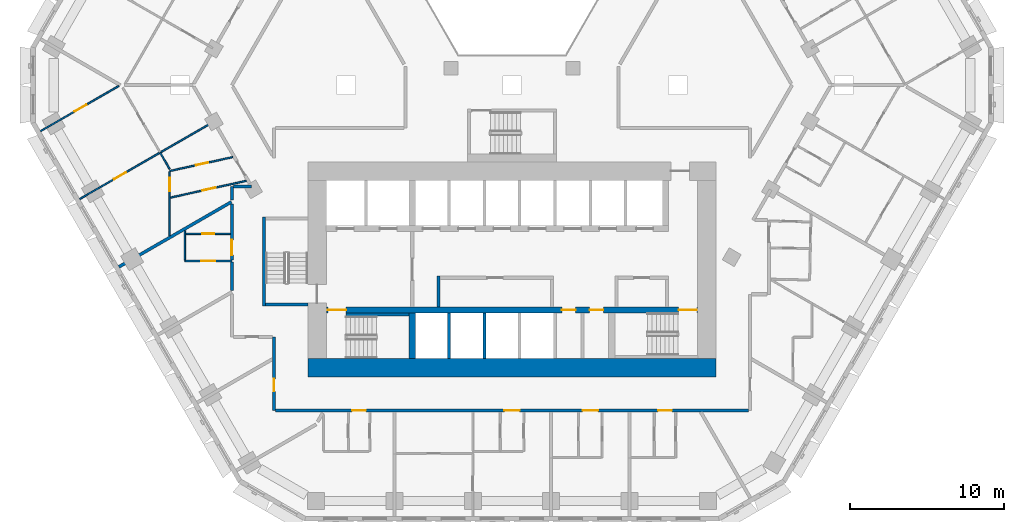
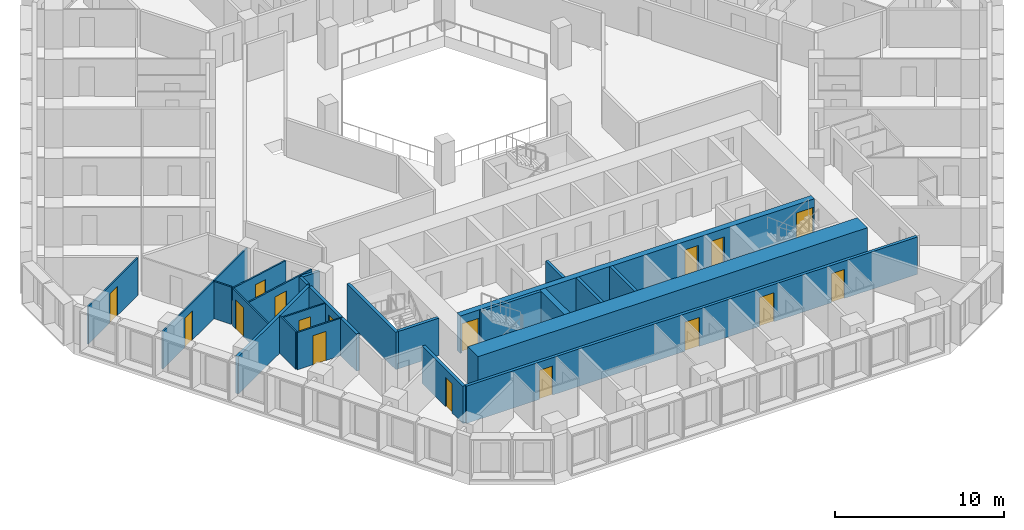
# One storey, part 4 of 21: 25 walls, 17 doors, 17 openings.
"""IFC4 building model written with IfcOpenShell, lengths in metres."""

from ifc_helpers import new_model, si_unit, direction, frame, frame_2d, origin, place, context, subcontext, project, spatial, rectangle, extrude, material, layer, layer_set, type_object, element, fill, save


model = new_model("IFC4")

# Units and contexts
model_context = context("Model", 3, precision=1e-05, world=origin(), true_north=direction((0.0, 1.0)))
body_context = subcontext(model_context, "Body", "Model", "MODEL_VIEW")
ifc_project = project(units=[si_unit("LENGTHUNIT", "METRE"), si_unit("AREAUNIT", "SQUARE_METRE"), si_unit("VOLUMEUNIT", "CUBIC_METRE"), si_unit("PLANEANGLEUNIT", "RADIAN"), si_unit("MASSUNIT", "GRAM", prefix="KILO")], contexts=[model_context])

# Site, building, storey
site_placement = place(None, origin())
site = spatial("IfcSite", under=ifc_project, at=site_placement, CompositionType="ELEMENT")
building_placement = place(site_placement, origin())
building = spatial("IfcBuilding", under=site, at=building_placement, Name="Beryl Residences", CompositionType="ELEMENT")
storey_placement = place(building_placement, frame((0.0, 0.0, 23.39990234375)))
storey = spatial("IfcBuildingStorey", under=building, at=storey_placement, Name="L06", CompositionType="ELEMENT", Elevation=23.39990234375)

# Wall
ifc_material_1 = material(Name="Gypsum board partition on steel studs", Category="steel")
ifc_layer_1 = layer(ifc_material_1, 0.10009765625)
ifc_layer_set_1 = layer_set([ifc_layer_1], Name="PT1 partition 100 mm gypsum board on steel studs")
wall_type_1 = type_object("IfcWallType", Name="PT1 partition 100 mm gypsum board on steel studs", PredefinedType="PARTITIONING", material=ifc_layer_set_1)
wall_1_placement = place(storey_placement, frame((-21.31005859375, -9.47412109375, 0.0), z_axis=(0.0, 0.0, 1.0), x_axis=(0.0, -1.0, 0.0)))
element("IfcWall", 1, at=wall_1_placement, inside=storey, type_object=wall_type_1, Name="Wall PT1 L06 009", PredefinedType="PARTITIONING", context=body_context, shape_type="SweptSolid", body=[
    extrude(rectangle(XDim=1.931884765625, YDim=0.10009765625, at=frame_2d((0.9658203125, 0.0))), origin(), (0.0, 0.0, 1.0), 2.7001953125),
])

# Wall, opening, door
wall_2_placement = place(storey_placement, frame((-21.260009765625, -9.68896484375, 0.0), z_axis=(0.0, 0.0, 1.0), x_axis=(1.0, 0.0, 0.0)))
wall_2 = element("IfcWall", 2, at=wall_2_placement, inside=storey, type_object=wall_type_1, Name="Wall PT1 L06 024", PredefinedType="PARTITIONING", context=body_context, shape_type="SweptSolid", body=[
    extrude(rectangle(XDim=2.909912109375, YDim=0.10009765625, at=frame_2d((1.455078125, 0.0))), origin(), (0.0, 0.0, 1.0), 2.7001953125),
])
opening_1_placement = place(wall_2_placement, frame((1.080078125, 0.0, 0.0)))
opening_1 = element("IfcOpeningElement", 3, at=opening_1_placement, cuts=wall_2, Name="Opening D0178", PredefinedType="OPENING", context=body_context, shape_type="SweptSolid", body=[
    extrude(rectangle(XDim=0.800048828125, YDim=2.10009765625, at=frame_2d((0.39990234375, 1.050048828125))), frame((0.0, 0.06005859375, 0.0), z_axis=(0.0, -1.0, 0.0), x_axis=(1.0, 0.0, 0.0)), (0.0, 0.0, 1.0), 0.1201171875),
])
ifc_material_2 = material(Name="Timber door leaf", Category="wood")
door_type_1 = type_object("IfcDoorType", Name="D3 bathroom door 800 x 2100 mm", OperationType="SINGLE_SWING_LEFT", PredefinedType="DOOR", material=ifc_material_2)
door_1_placement = place(opening_1_placement, origin())
door_1 = element("IfcDoor", 4, at=door_1_placement, inside=storey, type_object=door_type_1, Name="Door D0178 L06 001", OperationType="SINGLE_SWING_RIGHT", OverallHeight=2.10009765625, OverallWidth=0.800048828125, PredefinedType="DOOR", context=body_context, shape_type="SweptSolid", body=[
    extrude(rectangle(XDim=0.800048828125, YDim=2.10009765625, at=frame_2d((0.39990234375, 1.050048828125))), frame((0.0, 0.02490234375, 0.0), z_axis=(0.0, -1.0, 0.0), x_axis=(1.0, 0.0, 0.0)), (0.0, 0.0, 1.0), 0.050048828125),
])
fill(opening_1, door_1)

wall_3_placement = place(storey_placement, frame((-21.30908203125, -11.45703125, 0.0), z_axis=(0.0, 0.0, 1.0), x_axis=(1.0, 0.0, 0.0)))
wall_3 = element("IfcWall", 5, at=wall_3_placement, inside=storey, type_object=wall_type_1, Name="Wall PT1 L06 025", PredefinedType="PARTITIONING", context=body_context, shape_type="SweptSolid", body=[
    extrude(rectangle(XDim=3.05908203125, YDim=0.10009765625, at=frame_2d((1.529541015625, 0.0))), origin(), (0.0, 0.0, 1.0), 2.7001953125),
])
opening_2_placement = place(wall_3_placement, frame((1.0791015625, 0.0, 0.0)))
opening_2 = element("IfcOpeningElement", 6, at=opening_2_placement, cuts=wall_3, Name="Opening D0177", PredefinedType="OPENING", context=body_context, shape_type="SweptSolid", body=[
    extrude(rectangle(XDim=0.89990234375, YDim=2.10009765625, at=frame_2d((0.449951171875, 1.050048828125))), frame((0.0, 0.06005859375, 0.0), z_axis=(0.0, -1.0, 0.0), x_axis=(1.0, 0.0, 0.0)), (0.0, 0.0, 1.0), 0.1201171875),
])
ifc_material_3 = material(Name="Timber door leaf", Category="wood")
door_type_2 = type_object("IfcDoorType", Name="D2 room door 900 x 2100 mm", OperationType="SINGLE_SWING_LEFT", PredefinedType="DOOR", material=ifc_material_3)
door_2_placement = place(opening_2_placement, origin())
door_2 = element("IfcDoor", 7, at=door_2_placement, inside=storey, type_object=door_type_2, Name="Door D0177 L06 001", OperationType="SINGLE_SWING_LEFT", OverallHeight=2.10009765625, OverallWidth=0.89990234375, PredefinedType="DOOR", context=body_context, shape_type="SweptSolid", body=[
    extrude(rectangle(XDim=0.89990234375, YDim=2.10009765625, at=frame_2d((0.449951171875, 1.050048828125))), frame((0.0, 0.02490234375, 0.0), z_axis=(0.0, -1.0, 0.0), x_axis=(1.0, 0.0, 0.0)), (0.0, 0.0, 1.0), 0.050048828125),
])
fill(opening_2, door_2)

wall_4_placement = place(storey_placement, frame((-22.297119140625, -9.81298828125, 0.0), z_axis=(0.0, 0.0, 1.0), x_axis=(0.0, 1.0, 0.0)))
wall_4 = element("IfcWall", 8, at=wall_4_placement, inside=storey, type_object=wall_type_1, Name="Wall PT1 L06 058", PredefinedType="PARTITIONING", context=body_context, shape_type="SweptSolid", body=[
    extrude(rectangle(XDim=4.18408203125, YDim=0.10009765625, at=frame_2d((2.092041015625, 0.0))), origin(), (0.0, 0.0, 1.0), 2.7001953125),
])
opening_3_placement = place(wall_4_placement, frame((2.89404296875, 0.0, 0.0)))
opening_3 = element("IfcOpeningElement", 9, at=opening_3_placement, cuts=wall_4, Name="Opening D0172", PredefinedType="OPENING", context=body_context, shape_type="SweptSolid", body=[
    extrude(rectangle(XDim=0.89990234375, YDim=2.10009765625, at=frame_2d((0.449951171875, 1.050048828125))), frame((0.0, 0.06005859375, 0.0), z_axis=(0.0, -1.0, 0.0), x_axis=(1.0, 0.0, 0.0)), (0.0, 0.0, 1.0), 0.1201171875),
])
door_3_placement = place(opening_3_placement, origin())
door_3 = element("IfcDoor", 10, at=door_3_placement, inside=storey, type_object=door_type_2, Name="Door D0172 L06 001", OperationType="SINGLE_SWING_RIGHT", OverallHeight=2.10009765625, OverallWidth=0.89990234375, PredefinedType="DOOR", context=body_context, shape_type="SweptSolid", body=[
    extrude(rectangle(XDim=0.89990234375, YDim=2.10009765625, at=frame_2d((0.449951171875, 1.050048828125))), frame((0.0, 0.02490234375, 0.0), z_axis=(0.0, -1.0, 0.0), x_axis=(1.0, 0.0, 0.0)), (0.0, 0.0, 1.0), 0.050048828125),
])
fill(opening_3, door_3)

wall_5_placement = place(storey_placement, frame((-22.297119140625, -5.597900390625, 0.0), z_axis=(0.0, 0.0, 1.0), x_axis=(0.976341239907, 0.216235481033, 0.0)))
wall_5 = element("IfcWall", 11, at=wall_5_placement, inside=storey, type_object=wall_type_1, Name="Wall PT1 L06 060", PredefinedType="PARTITIONING", context=body_context, shape_type="SweptSolid", body=[
    extrude(rectangle(XDim=4.203369140625, YDim=0.10009765625, at=frame_2d((2.1015625, 0.0))), origin(), (0.0, 0.0, 1.0), 2.7001953125),
])
opening_4_placement = place(wall_5_placement, frame((1.75390625, 0.0, 0.0)))
opening_4 = element("IfcOpeningElement", 12, at=opening_4_placement, cuts=wall_5, Name="Opening D0171", PredefinedType="OPENING", context=body_context, shape_type="SweptSolid", body=[
    extrude(rectangle(XDim=0.800048828125, YDim=2.10009765625, at=frame_2d((0.39990234375, 1.050048828125))), frame((0.0, 0.06005859375, 0.0), z_axis=(0.0, -1.0, 0.0), x_axis=(1.0, 0.0, 0.0)), (0.0, 0.0, 1.0), 0.1201171875),
])
door_4_placement = place(opening_4_placement, origin())
door_4 = element("IfcDoor", 13, at=door_4_placement, inside=storey, type_object=door_type_1, Name="Door D0171 L06 001", OperationType="SINGLE_SWING_LEFT", OverallHeight=2.10009765625, OverallWidth=0.800048828125, PredefinedType="DOOR", context=body_context, shape_type="SweptSolid", body=[
    extrude(rectangle(XDim=0.800048828125, YDim=2.10009765625, at=frame_2d((0.39990234375, 1.050048828125))), frame((0.0, 0.02490234375, 0.0), z_axis=(0.0, -1.0, 0.0), x_axis=(1.0, 0.0, 0.0)), (0.0, 0.0, 1.0), 0.050048828125),
])
fill(opening_4, door_4)

wall_6_placement = place(storey_placement, frame((-22.2470703125, -7.327880859375, 0.0), z_axis=(0.0, 0.0, 1.0), x_axis=(0.976310522972, 0.216374126765, 0.0)))
wall_6 = element("IfcWall", 14, at=wall_6_placement, inside=storey, type_object=wall_type_1, Name="Wall PT1 L06 061", PredefinedType="PARTITIONING", context=body_context, shape_type="SweptSolid", body=[
    extrude(rectangle(XDim=5.06494140625, YDim=0.10009765625, at=frame_2d((2.532470703125, 0.0))), origin(), (0.0, 0.0, 1.0), 2.7001953125),
])
opening_5_placement = place(wall_6_placement, frame((2.10888671875, 0.0, 0.0)))
opening_5 = element("IfcOpeningElement", 15, at=opening_5_placement, cuts=wall_6, Name="Opening D0170", PredefinedType="OPENING", context=body_context, shape_type="SweptSolid", body=[
    extrude(rectangle(XDim=0.89990234375, YDim=2.10009765625, at=frame_2d((0.449951171875, 1.050048828125))), frame((0.0, 0.06005859375, 0.0), z_axis=(0.0, -1.0, 0.0), x_axis=(1.0, 0.0, 0.0)), (0.0, 0.0, 1.0), 0.1201171875),
])
door_5_placement = place(opening_5_placement, origin())
door_5 = element("IfcDoor", 16, at=door_5_placement, inside=storey, type_object=door_type_2, Name="Door D0170 L06 001", OperationType="SINGLE_SWING_RIGHT", OverallHeight=2.10009765625, OverallWidth=0.89990234375, PredefinedType="DOOR", context=body_context, shape_type="SweptSolid", body=[
    extrude(rectangle(XDim=0.89990234375, YDim=2.10009765625, at=frame_2d((0.449951171875, 1.050048828125))), frame((0.0, 0.02490234375, 0.0), z_axis=(0.0, -1.0, 0.0), x_axis=(1.0, 0.0, 0.0)), (0.0, 0.0, 1.0), 0.050048828125),
])
fill(opening_5, door_5)

wall_7_placement = place(storey_placement, frame((-28.1630859375, -7.419921875, 0.0), z_axis=(0.0, 0.0, 1.0), x_axis=(0.866065245018, 0.499930986609, 0.0)))
wall_7 = element("IfcWall", 17, at=wall_7_placement, inside=storey, type_object=wall_type_1, Name="Wall PT1 L06 064", PredefinedType="PARTITIONING", context=body_context, shape_type="SweptSolid", body=[
    extrude(rectangle(XDim=9.99951171875, YDim=0.10009765625, at=frame_2d((4.999755859375, 0.0))), origin(), (0.0, 0.0, 1.0), 2.7001953125),
])
opening_6_placement = place(wall_7_placement, frame((2.575927734375, 0.0, 0.0)))
opening_6 = element("IfcOpeningElement", 18, at=opening_6_placement, cuts=wall_7, Name="Opening D0173", PredefinedType="OPENING", context=body_context, shape_type="SweptSolid", body=[
    extrude(rectangle(XDim=0.89990234375, YDim=2.10009765625, at=frame_2d((0.449951171875, 1.050048828125))), frame((0.0, 0.06005859375, 0.0), z_axis=(0.0, -1.0, 0.0), x_axis=(1.0, 0.0, 0.0)), (0.0, 0.0, 1.0), 0.1201171875),
])
door_6_placement = place(opening_6_placement, origin())
door_6 = element("IfcDoor", 19, at=door_6_placement, inside=storey, type_object=door_type_2, Name="Door D0173 L06 001", OperationType="SINGLE_SWING_LEFT", OverallHeight=2.10009765625, OverallWidth=0.89990234375, PredefinedType="DOOR", context=body_context, shape_type="SweptSolid", body=[
    extrude(rectangle(XDim=0.89990234375, YDim=2.10009765625, at=frame_2d((0.449951171875, 1.050048828125))), frame((0.0, 0.02490234375, 0.0), z_axis=(0.0, -1.0, 0.0), x_axis=(1.0, 0.0, 0.0)), (0.0, 0.0, 1.0), 0.050048828125),
])
fill(opening_6, door_6)

wall_8_placement = place(storey_placement, frame((-30.715087890625, -3.0, 0.0), z_axis=(0.0, 0.0, 1.0), x_axis=(0.866054318203, 0.499949915414, 0.0)))
wall_8 = element("IfcWall", 20, at=wall_8_placement, inside=storey, type_object=wall_type_1, Name="Wall PT1 L06 065", PredefinedType="PARTITIONING", context=body_context, shape_type="SweptSolid", body=[
    extrude(rectangle(XDim=5.88427734375, YDim=0.10009765625, at=frame_2d((2.942138671875, 0.0))), origin(), (0.0, 0.0, 1.0), 2.7001953125),
])
opening_7_placement = place(wall_8_placement, frame((2.550048828125, 0.0, 0.0)))
opening_7 = element("IfcOpeningElement", 21, at=opening_7_placement, cuts=wall_8, Name="Opening D0174", PredefinedType="OPENING", context=body_context, shape_type="SweptSolid", body=[
    extrude(rectangle(XDim=0.89990234375, YDim=2.10009765625, at=frame_2d((0.449951171875, 1.050048828125))), frame((0.0, 0.06005859375, 0.0), z_axis=(0.0, -1.0, 0.0), x_axis=(1.0, 0.0, 0.0)), (0.0, 0.0, 1.0), 0.1201171875),
])
door_7_placement = place(opening_7_placement, origin())
door_7 = element("IfcDoor", 22, at=door_7_placement, inside=storey, type_object=door_type_2, Name="Door D0174 L06 001", OperationType="SINGLE_SWING_RIGHT", OverallHeight=2.10009765625, OverallWidth=0.89990234375, PredefinedType="DOOR", context=body_context, shape_type="SweptSolid", body=[
    extrude(rectangle(XDim=0.89990234375, YDim=2.10009765625, at=frame_2d((0.449951171875, 1.050048828125))), frame((0.0, 0.02490234375, 0.0), z_axis=(0.0, -1.0, 0.0), x_axis=(1.0, 0.0, 0.0)), (0.0, 0.0, 1.0), 0.050048828125),
])
fill(opening_7, door_7)

# Walls
wall_9_placement = place(storey_placement, frame((-22.9208984375, -4.39404296875, 0.0), z_axis=(0.0, 0.0, 1.0), x_axis=(0.49977889874, -0.86615301903, 0.0)))
element("IfcWall", 23, at=wall_9_placement, inside=storey, type_object=wall_type_1, Name="Wall PT1 L06 071", PredefinedType="PARTITIONING", context=body_context, shape_type="SweptSolid", body=[
    extrude(rectangle(XDim=1.248046875, YDim=0.10009765625, at=frame_2d((0.6240234375, 0.0))), origin(), (0.0, 0.0, 1.0), 2.7001953125),
])
ifc_material_4 = material(Name="Concrete masonry", Category="masonry")
ifc_layer_2 = layer(ifc_material_4, 0.199951171875)
ifc_layer_set_2 = layer_set([ifc_layer_2], Name="PT13 lobby wall 200 mm")
wall_type_2 = type_object("IfcWallType", Name="PT13 lobby wall 200 mm", PredefinedType="PARTITIONING", material=ifc_layer_set_2)
wall_10_placement = place(storey_placement, frame((-4.800048828125, -14.449951171875, 0.0), z_axis=(0.0, 0.0, 1.0), x_axis=(0.0, 1.0, 0.0)))
element("IfcWall", 24, at=wall_10_placement, inside=storey, type_object=wall_type_2, Name="Lobby wall 07", PredefinedType="PARTITIONING", context=body_context, shape_type="SweptSolid", body=[
    extrude(rectangle(XDim=2.0, YDim=0.199951171875, at=frame_2d((1.0, 0.0))), origin(), (0.0, 0.0, 1.0), 2.7001953125),
])
ifc_material_5 = material(Name="Acoustic double stud gypsum board wall")
ifc_layer_3 = layer(ifc_material_5, 0.199951171875)
ifc_layer_set_3 = layer_set([ifc_layer_3], Name="PT3 party wall 200 mm acoustic double stud")
wall_type_3 = type_object("IfcWallType", Name="PT3 party wall 200 mm acoustic double stud", PredefinedType="PARTITIONING", material=ifc_layer_set_3)
wall_11_placement = place(storey_placement, frame((-25.610107421875, -11.841064453125, 0.0), z_axis=(0.0, 0.0, 1.0), x_axis=(0.866019023803, 0.500011050288, 0.0)))
element("IfcWall", 25, at=wall_11_placement, inside=storey, type_object=wall_type_3, Name="Wall PT3 L06 027", PredefinedType="PARTITIONING", context=body_context, shape_type="SweptSolid", body=[
    extrude(rectangle(XDim=8.469970703125, YDim=0.199951171875, at=frame_2d((4.23486328125, 0.0))), origin(), (0.0, 0.0, 1.0), 2.7001953125),
])
ifc_material_6 = material(Name="Double stud gypsum board wall")
ifc_layer_4 = layer(ifc_material_6, 0.199951171875)
ifc_layer_set_4 = layer_set([ifc_layer_4], Name="PT4 corridor wall 200 mm double stud")
wall_type_4 = type_object("IfcWallType", Name="PT4 corridor wall 200 mm double stud", PredefinedType="PARTITIONING", material=ifc_layer_set_4)
wall_12_placement = place(storey_placement, frame((-18.25, -11.507080078125, 0.0), z_axis=(0.0, 0.0, 1.0), x_axis=(0.0, -1.0, 0.0)))
element("IfcWall", 26, at=wall_12_placement, inside=storey, type_object=wall_type_4, Name="Wall PT4 L06 007", PredefinedType="PARTITIONING", context=body_context, shape_type="SweptSolid", body=[
    extrude(rectangle(XDim=1.86181640625, YDim=0.199951171875, at=frame_2d((0.930908203125, 0.0))), origin(), (0.0, 0.0, 1.0), 2.7001953125),
])
wall_13_placement = place(storey_placement, frame((-18.14990234375, -6.60009765625, 0.0), z_axis=(0.0, 0.0, 1.0), x_axis=(1.0, 0.0, 0.0)))
element("IfcWall", 27, at=wall_13_placement, inside=storey, type_object=wall_type_4, Name="Wall PT4 L06 008", PredefinedType="PARTITIONING", context=body_context, shape_type="SweptSolid", body=[
    extrude(rectangle(XDim=1.17578125, YDim=0.199951171875, at=frame_2d((0.587890625, 0.0))), origin(), (0.0, 0.0, 1.0), 2.7001953125),
])

# Wall, openings, doors
wall_14_placement = place(storey_placement, frame((-15.39990234375, -21.199951171875, 0.0), z_axis=(0.0, 0.0, 1.0), x_axis=(1.0, 0.0, 0.0)))
wall_14 = element("IfcWall", 28, at=wall_14_placement, inside=storey, type_object=wall_type_4, Name="Wall PT4 L06 012", PredefinedType="PARTITIONING", context=body_context, shape_type="SweptSolid", body=[
    extrude(rectangle(XDim=30.798828125, YDim=0.199951171875, at=frame_2d((15.3994140625, 0.0))), origin(), (0.0, 0.0, 1.0), 2.7001953125),
])
opening_8_placement = place(wall_14_placement, frame((4.985107421875, 0.0, 0.0)))
opening_8 = element("IfcOpeningElement", 29, at=opening_8_placement, cuts=wall_14, Name="Opening D0101", PredefinedType="OPENING", context=body_context, shape_type="SweptSolid", body=[
    extrude(rectangle(XDim=0.89990234375, YDim=2.10009765625, at=frame_2d((0.449951171875, 1.050048828125))), frame((0.0, 0.10986328125, 0.0), z_axis=(0.0, -1.0, 0.0), x_axis=(1.0, 0.0, 0.0)), (0.0, 0.0, 1.0), 0.219970703125),
])
opening_9_placement = place(wall_14_placement, frame((14.90087890625, 0.0, 0.0)))
opening_9 = element("IfcOpeningElement", 30, at=opening_9_placement, cuts=wall_14, Name="Opening D0104", PredefinedType="OPENING", context=body_context, shape_type="SweptSolid", body=[
    extrude(rectangle(XDim=1.0, YDim=2.10009765625, at=frame_2d((0.5, 1.050048828125))), frame((0.0, 0.10986328125, 0.0), z_axis=(0.0, -1.0, 0.0), x_axis=(1.0, 0.0, 0.0)), (0.0, 0.0, 1.0), 0.219970703125),
])
opening_10_placement = place(wall_14_placement, frame((20.0048828125, 0.0, 0.0)))
opening_10 = element("IfcOpeningElement", 31, at=opening_10_placement, cuts=wall_14, Name="Opening D0109", PredefinedType="OPENING", context=body_context, shape_type="SweptSolid", body=[
    extrude(rectangle(XDim=1.0, YDim=2.10009765625, at=frame_2d((0.5, 1.050048828125))), frame((0.0, 0.10986328125, 0.0), z_axis=(0.0, -1.0, 0.0), x_axis=(1.0, 0.0, 0.0)), (0.0, 0.0, 1.0), 0.219970703125),
])
opening_11_placement = place(wall_14_placement, frame((24.916015625, 0.0, 0.0)))
opening_11 = element("IfcOpeningElement", 32, at=opening_11_placement, cuts=wall_14, Name="Opening D0112", PredefinedType="OPENING", context=body_context, shape_type="SweptSolid", body=[
    extrude(rectangle(XDim=0.89990234375, YDim=2.10009765625, at=frame_2d((0.449951171875, 1.050048828125))), frame((0.0, 0.10986328125, 0.0), z_axis=(0.0, -1.0, 0.0), x_axis=(1.0, 0.0, 0.0)), (0.0, 0.0, 1.0), 0.219970703125),
])
ifc_material_7 = material(Name="Timber door leaf", Category="wood")
door_type_3 = type_object("IfcDoorType", Name="D1 flat entrance door 1000 x 2100 mm", OperationType="SINGLE_SWING_LEFT", PredefinedType="DOOR", material=ifc_material_7)
door_8_placement = place(opening_9_placement, origin())
door_8 = element("IfcDoor", 33, at=door_8_placement, inside=storey, type_object=door_type_3, Name="Door D0104 L06 001", OperationType="SINGLE_SWING_RIGHT", OverallHeight=2.10009765625, OverallWidth=1.0, PredefinedType="DOOR", context=body_context, shape_type="SweptSolid", body=[
    extrude(rectangle(XDim=1.0, YDim=2.10009765625, at=frame_2d((0.5, 1.050048828125))), frame((0.0, 0.02490234375, 0.0), z_axis=(0.0, -1.0, 0.0), x_axis=(1.0, 0.0, 0.0)), (0.0, 0.0, 1.0), 0.050048828125),
])
fill(opening_9, door_8)
door_9_placement = place(opening_10_placement, origin())
door_9 = element("IfcDoor", 34, at=door_9_placement, inside=storey, type_object=door_type_3, Name="Door D0109 L06 001", OperationType="SINGLE_SWING_LEFT", OverallHeight=2.10009765625, OverallWidth=1.0, PredefinedType="DOOR", context=body_context, shape_type="SweptSolid", body=[
    extrude(rectangle(XDim=1.0, YDim=2.10009765625, at=frame_2d((0.5, 1.050048828125))), frame((0.0, 0.02490234375, 0.0), z_axis=(0.0, -1.0, 0.0), x_axis=(1.0, 0.0, 0.0)), (0.0, 0.0, 1.0), 0.050048828125),
])
fill(opening_10, door_9)
ifc_material_8 = material(Name="Timber door leaf", Category="wood")
door_type_4 = type_object("IfcDoorType", Name="D11 flat entrance door 900 x 2100 mm", OperationType="SINGLE_SWING_LEFT", PredefinedType="DOOR", material=ifc_material_8)
door_10_placement = place(opening_8_placement, origin())
door_10 = element("IfcDoor", 35, at=door_10_placement, inside=storey, type_object=door_type_4, Name="Door D0101 L06 001", OperationType="SINGLE_SWING_LEFT", OverallHeight=2.10009765625, OverallWidth=0.89990234375, PredefinedType="DOOR", context=body_context, shape_type="SweptSolid", body=[
    extrude(rectangle(XDim=0.89990234375, YDim=2.10009765625, at=frame_2d((0.449951171875, 1.050048828125))), frame((0.0, 0.02490234375, 0.0), z_axis=(0.0, -1.0, 0.0), x_axis=(1.0, 0.0, 0.0)), (0.0, 0.0, 1.0), 0.050048828125),
])
fill(opening_8, door_10)
door_11_placement = place(opening_11_placement, origin())
door_11 = element("IfcDoor", 36, at=door_11_placement, inside=storey, type_object=door_type_4, Name="Door D0112 L06 001", OperationType="SINGLE_SWING_RIGHT", OverallHeight=2.10009765625, OverallWidth=0.89990234375, PredefinedType="DOOR", context=body_context, shape_type="SweptSolid", body=[
    extrude(rectangle(XDim=0.89990234375, YDim=2.10009765625, at=frame_2d((0.449951171875, 1.050048828125))), frame((0.0, 0.02490234375, 0.0), z_axis=(0.0, -1.0, 0.0), x_axis=(1.0, 0.0, 0.0)), (0.0, 0.0, 1.0), 0.050048828125),
])
fill(opening_11, door_11)

# Wall, opening, door
wall_15_placement = place(storey_placement, frame((-15.5, -21.199951171875, 0.0), z_axis=(0.0, 0.0, 1.0), x_axis=(0.0, 1.0, 0.0)))
wall_15 = element("IfcWall", 37, at=wall_15_placement, inside=storey, type_object=wall_type_4, Name="Wall PT4 L06 030", PredefinedType="PARTITIONING", context=body_context, shape_type="SweptSolid", body=[
    extrude(rectangle(XDim=4.800048828125, YDim=0.199951171875, at=frame_2d((2.39990234375, 0.0))), origin(), (0.0, 0.0, 1.0), 2.7001953125),
])
opening_12_placement = place(wall_15_placement, frame((1.258056640625, 0.0, 0.0)))
opening_12 = element("IfcOpeningElement", 38, at=opening_12_placement, cuts=wall_15, Name="Opening D0180", PredefinedType="OPENING", context=body_context, shape_type="SweptSolid", body=[
    extrude(rectangle(XDim=0.800048828125, YDim=2.10009765625, at=frame_2d((0.39990234375, 1.050048828125))), frame((0.0, 0.10986328125, 0.0), z_axis=(0.0, -1.0, 0.0), x_axis=(1.0, 0.0, 0.0)), (0.0, 0.0, 1.0), 0.219970703125),
])
door_12_placement = place(opening_12_placement, origin())
door_12 = element("IfcDoor", 39, at=door_12_placement, inside=storey, type_object=door_type_1, Name="Door D0180 L06 001", OperationType="SINGLE_SWING_RIGHT", OverallHeight=2.10009765625, OverallWidth=0.800048828125, PredefinedType="DOOR", context=body_context, shape_type="SweptSolid", body=[
    extrude(rectangle(XDim=0.800048828125, YDim=2.10009765625, at=frame_2d((0.39990234375, 1.050048828125))), frame((0.0, 0.02490234375, 0.0), z_axis=(0.0, -1.0, 0.0), x_axis=(1.0, 0.0, 0.0)), (0.0, 0.0, 1.0), 0.050048828125),
])
fill(opening_12, door_12)

wall_16_placement = place(storey_placement, frame((-18.25, -11.406982421875, 0.0), z_axis=(0.0, 0.0, 1.0), x_axis=(0.0, 1.0, 0.0)))
wall_16 = element("IfcWall", 40, at=wall_16_placement, inside=storey, type_object=wall_type_4, Name="Wall PT4 L06 033", PredefinedType="PARTITIONING", context=body_context, shape_type="SweptSolid", body=[
    extrude(rectangle(XDim=3.6650390625, YDim=0.199951171875, at=frame_2d((1.83251953125, 0.0))), origin(), (0.0, 0.0, 1.0), 2.7001953125),
])
opening_13_placement = place(wall_16_placement, frame((0.333984375, 0.0, 0.0)))
opening_13 = element("IfcOpeningElement", 41, at=opening_13_placement, cuts=wall_16, Name="Opening D0176", PredefinedType="OPENING", context=body_context, shape_type="SweptSolid", body=[
    extrude(rectangle(XDim=1.0, YDim=2.10009765625, at=frame_2d((0.5, 1.050048828125))), frame((0.0, 0.10986328125, 0.0), z_axis=(0.0, -1.0, 0.0), x_axis=(1.0, 0.0, 0.0)), (0.0, 0.0, 1.0), 0.219970703125),
])
door_13_placement = place(opening_13_placement, origin())
door_13 = element("IfcDoor", 42, at=door_13_placement, inside=storey, type_object=door_type_3, Name="Door D0176 L06 001", OperationType="SINGLE_SWING_RIGHT", OverallHeight=2.10009765625, OverallWidth=1.0, PredefinedType="DOOR", context=body_context, shape_type="SweptSolid", body=[
    extrude(rectangle(XDim=1.0, YDim=2.10009765625, at=frame_2d((0.5, 1.050048828125))), frame((0.0, 0.02490234375, 0.0), z_axis=(0.0, -1.0, 0.0), x_axis=(1.0, 0.0, 0.0)), (0.0, 0.0, 1.0), 0.050048828125),
])
fill(opening_13, door_13)

# Walls
wall_17_placement = place(storey_placement, frame((-18.25, -7.47607421875, 0.0), z_axis=(0.0, 0.0, 1.0), x_axis=(0.0, 1.0, 0.0)))
element("IfcWall", 43, at=wall_17_placement, inside=storey, type_object=wall_type_4, Name="Wall PT4 L06 034", PredefinedType="PARTITIONING", context=body_context, shape_type="SweptSolid", body=[
    extrude(rectangle(XDim=0.8759765625, YDim=0.199951171875, at=frame_2d((0.43798828125, 0.0))), origin(), (0.0, 0.0, 1.0), 2.7001953125),
])
ifc_material_9 = material(Name="Concrete C40/50", Category="concrete")
ifc_layer_5 = layer(ifc_material_9, 0.199951171875)
ifc_layer_set_5 = layer_set([ifc_layer_5], Name="PT5 stair enclosure wall 200 mm reinforced concrete C40/50")
wall_type_5 = type_object("IfcWallType", Name="PT5 stair enclosure wall 200 mm reinforced concrete C40/50", PredefinedType="SOLIDWALL", material=ifc_layer_set_5)
wall_18_placement = place(storey_placement, frame((-16.14990234375, -14.39990234375, 0.0), z_axis=(0.0, 0.0, 1.0), x_axis=(0.0, 1.0, 0.0)))
element("IfcWall", 44, at=wall_18_placement, inside=storey, type_object=wall_type_5, Name="Stair wall 01", PredefinedType="SOLIDWALL", context=body_context, shape_type="SweptSolid", body=[
    extrude(rectangle(XDim=5.7998046875, YDim=0.199951171875, at=frame_2d((2.89990234375, 0.0))), origin(), (0.0, 0.0, 1.0), 2.7001953125),
])
wall_19_placement = place(storey_placement, frame((-16.050048828125, -14.300048828125, 0.0), z_axis=(0.0, 0.0, 1.0), x_axis=(1.0, 0.0, 0.0)))
element("IfcWall", 45, at=wall_19_placement, inside=storey, type_object=wall_type_5, Name="Stair wall 02", PredefinedType="SOLIDWALL", context=body_context, shape_type="SweptSolid", body=[
    extrude(rectangle(XDim=2.75, YDim=0.199951171875, at=frame_2d((1.375, 0.0))), origin(), (0.0, 0.0, 1.0), 2.7001953125),
])
wall_20_placement = place(storey_placement, frame((-10.800048828125, -14.949951171875, 0.0), z_axis=(0.0, 0.0, 1.0), x_axis=(1.0, 0.0, 0.0)))
element("IfcWall", 46, at=wall_20_placement, inside=storey, type_object=wall_type_5, Name="Stair wall 04", PredefinedType="SOLIDWALL", context=body_context, shape_type="SweptSolid", body=[
    extrude(rectangle(XDim=4.10009765625, YDim=0.199951171875, at=frame_2d((2.050048828125, 0.0))), origin(), (0.0, 0.0, 1.0), 2.7001953125),
])
ifc_material_10 = material(Name="Concrete C40/50", Category="concrete")
ifc_layer_6 = layer(ifc_material_10, 0.199951171875)
ifc_layer_set_6 = layer_set([ifc_layer_6], Name="PT6 lift shaft wall 200 mm reinforced concrete C40/50")
wall_type_6 = type_object("IfcWallType", Name="PT6 lift shaft wall 200 mm reinforced concrete C40/50", PredefinedType="SOLIDWALL", material=ifc_layer_set_6)
for number, where, z_axis, x_axis, name in (
    (47, (-4.10009765625, -17.800048828125, 0.0), (0.0, 0.0, 1.0), (0.0, 1.0, 0.0), "Lift shaft wall 09"),
    (48, (-1.800048828125, -17.800048828125, 0.0), (0.0, 0.0, 1.0), (0.0, 1.0, 0.0), "Lift shaft wall 11"),
):
    element("IfcWall", number, at=place(storey_placement, frame(where, z_axis=z_axis, x_axis=x_axis)), inside=storey, type_object=wall_type_6, Name=name, PredefinedType="SOLIDWALL", context=body_context, shape_type="SweptSolid", body=[
        extrude(rectangle(XDim=2.949951171875, YDim=0.199951171875, at=frame_2d((1.47509765625, 0.0))), origin(), (0.0, 0.0, 1.0), 2.7001953125),
    ])
ifc_material_11 = material(Name="Concrete C80/95", Category="concrete")
ifc_layer_7 = layer(ifc_material_11, 1.199951171875)
ifc_layer_set_7 = layer_set([ifc_layer_7], Name="SW1 core outer wall 1200 mm C80/95")
wall_type_7 = type_object("IfcWallType", Name="SW1 core outer wall 1200 mm C80/95", PredefinedType="SHEAR", material=ifc_layer_set_7)
wall_21_placement = place(storey_placement, frame((-13.300048828125, -18.39990234375, 0.0), z_axis=(0.0, 0.0, 1.0), x_axis=(1.0, 0.0, 0.0)))
element("IfcWall", 49, at=wall_21_placement, inside=storey, type_object=wall_type_7, Name="Core wall S L06", PredefinedType="SHEAR", context=body_context, shape_type="SweptSolid", body=[
    extrude(rectangle(XDim=26.60009765625, YDim=1.199951171875, at=frame_2d((13.300048828125, 0.0))), origin(), (0.0, 0.0, 1.0), 2.7001953125),
])

# Wall, openings, doors
ifc_material_12 = material(Name="Concrete C80/95", Category="concrete")
ifc_layer_8 = layer(ifc_material_12, 0.39990234375)
ifc_layer_set_8 = layer_set([ifc_layer_8], Name="SW6 core internal wall 400 mm C80/95")
wall_type_8 = type_object("IfcWallType", Name="SW6 core internal wall 400 mm C80/95", PredefinedType="SHEAR", material=ifc_layer_set_8)
wall_22_placement = place(storey_placement, frame((-12.10009765625, -14.64990234375, 0.0), z_axis=(0.0, 0.0, 1.0), x_axis=(1.0, 0.0, 0.0)))
wall_22 = element("IfcWall", 50, at=wall_22_placement, inside=storey, type_object=wall_type_8, Name="Core wall SP1 L06", PredefinedType="SHEAR", context=body_context, shape_type="SweptSolid", body=[
    extrude(rectangle(XDim=24.2001953125, YDim=0.39990234375, at=frame_2d((12.10009765625, 0.0))), origin(), (0.0, 0.0, 1.0), 2.7001953125),
])
opening_14_placement = place(wall_22_placement, frame((1.300048828125, 0.0, 0.0), z_axis=(0.0, 0.0, 1.0), x_axis=(-1.0, 0.0, 0.0)))
opening_14 = element("IfcOpeningElement", 51, at=opening_14_placement, cuts=wall_22, Name="Opening SD-1", PredefinedType="OPENING", context=body_context, shape_type="SweptSolid", body=[
    extrude(rectangle(XDim=1.199951171875, YDim=2.10009765625, at=frame_2d((0.60009765625, 1.050048828125))), frame((0.0, 0.2099609375, 0.0), z_axis=(0.0, -1.0, 0.0), x_axis=(1.0, 0.0, 0.0)), (0.0, 0.0, 1.0), 0.419921875),
])
opening_15_placement = place(wall_22_placement, frame((24.14990234375, 0.0, 0.0), z_axis=(0.0, 0.0, 1.0), x_axis=(-1.0, 0.0, 0.0)))
opening_15 = element("IfcOpeningElement", 52, at=opening_15_placement, cuts=wall_22, Name="Opening SD-3", PredefinedType="OPENING", context=body_context, shape_type="SweptSolid", body=[
    extrude(rectangle(XDim=1.199951171875, YDim=2.10009765625, at=frame_2d((0.60009765625, 1.050048828125))), frame((0.0, 0.2099609375, 0.0), z_axis=(0.0, -1.0, 0.0), x_axis=(1.0, 0.0, 0.0)), (0.0, 0.0, 1.0), 0.419921875),
])
opening_16_placement = place(wall_22_placement, frame((16.25, 0.0, 0.0), z_axis=(0.0, 0.0, 1.0), x_axis=(-1.0, 0.0, 0.0)))
opening_16 = element("IfcOpeningElement", 53, at=opening_16_placement, cuts=wall_22, Name="Opening CD-D-S1-900", PredefinedType="OPENING", context=body_context, shape_type="SweptSolid", body=[
    extrude(rectangle(XDim=0.89990234375, YDim=2.10009765625, at=frame_2d((0.449951171875, 1.050048828125))), frame((0.0, 0.2099609375, 0.0), z_axis=(0.0, -1.0, 0.0), x_axis=(1.0, 0.0, 0.0)), (0.0, 0.0, 1.0), 0.419921875),
])
opening_17_placement = place(wall_22_placement, frame((18.0498046875, 0.0, 0.0), z_axis=(0.0, 0.0, 1.0), x_axis=(-1.0, 0.0, 0.0)))
opening_17 = element("IfcOpeningElement", 54, at=opening_17_placement, cuts=wall_22, Name="Opening CD-D-S2-900", PredefinedType="OPENING", context=body_context, shape_type="SweptSolid", body=[
    extrude(rectangle(XDim=0.89990234375, YDim=2.10009765625, at=frame_2d((0.449951171875, 1.050048828125))), frame((0.0, 0.2099609375, 0.0), z_axis=(0.0, -1.0, 0.0), x_axis=(1.0, 0.0, 0.0)), (0.0, 0.0, 1.0), 0.419921875),
])
ifc_material_13 = material(Name="Steel door leaf in steel frame", Category="steel")
door_type_5 = type_object("IfcDoorType", Name="D4 stair door 1200 x 2100 mm", OperationType="SINGLE_SWING_LEFT", PredefinedType="DOOR", material=ifc_material_13)
door_14_placement = place(opening_14_placement, origin())
door_14 = element("IfcDoor", 55, at=door_14_placement, inside=storey, type_object=door_type_5, Name="Door SD-1 L06 001", OperationType="SINGLE_SWING_RIGHT", OverallHeight=2.10009765625, OverallWidth=1.199951171875, PredefinedType="DOOR", context=body_context, shape_type="SweptSolid", body=[
    extrude(rectangle(XDim=1.199951171875, YDim=2.10009765625, at=frame_2d((0.60009765625, 1.050048828125))), frame((0.0, 0.02490234375, 0.0), z_axis=(0.0, -1.0, 0.0), x_axis=(1.0, 0.0, 0.0)), (0.0, 0.0, 1.0), 0.050048828125),
])
fill(opening_14, door_14)
door_15_placement = place(opening_15_placement, origin())
door_15 = element("IfcDoor", 56, at=door_15_placement, inside=storey, type_object=door_type_5, Name="Door SD-3 L06 001", OperationType="SINGLE_SWING_RIGHT", OverallHeight=2.10009765625, OverallWidth=1.199951171875, PredefinedType="DOOR", context=body_context, shape_type="SweptSolid", body=[
    extrude(rectangle(XDim=1.199951171875, YDim=2.10009765625, at=frame_2d((0.60009765625, 1.050048828125))), frame((0.0, 0.02490234375, 0.0), z_axis=(0.0, -1.0, 0.0), x_axis=(1.0, 0.0, 0.0)), (0.0, 0.0, 1.0), 0.050048828125),
])
fill(opening_15, door_15)
ifc_material_14 = material(Name="Steel door leaf in steel frame", Category="steel")
door_type_6 = type_object("IfcDoorType", Name="D6 service room door 900 x 2100 mm", OperationType="SINGLE_SWING_LEFT", PredefinedType="DOOR", material=ifc_material_14)
door_16_placement = place(opening_16_placement, origin())
door_16 = element("IfcDoor", 57, at=door_16_placement, inside=storey, type_object=door_type_6, Name="Door CD-D-S1-900 L06 001", OperationType="SINGLE_SWING_RIGHT", OverallHeight=2.10009765625, OverallWidth=0.89990234375, PredefinedType="DOOR", context=body_context, shape_type="SweptSolid", body=[
    extrude(rectangle(XDim=0.89990234375, YDim=2.10009765625, at=frame_2d((0.449951171875, 1.050048828125))), frame((0.0, 0.02490234375, 0.0), z_axis=(0.0, -1.0, 0.0), x_axis=(1.0, 0.0, 0.0)), (0.0, 0.0, 1.0), 0.050048828125),
])
fill(opening_16, door_16)
door_17_placement = place(opening_17_placement, origin())
door_17 = element("IfcDoor", 58, at=door_17_placement, inside=storey, type_object=door_type_6, Name="Door CD-D-S2-900 L06 001", OperationType="SINGLE_SWING_LEFT", OverallHeight=2.10009765625, OverallWidth=0.89990234375, PredefinedType="DOOR", context=body_context, shape_type="SweptSolid", body=[
    extrude(rectangle(XDim=0.89990234375, YDim=2.10009765625, at=frame_2d((0.449951171875, 1.050048828125))), frame((0.0, 0.02490234375, 0.0), z_axis=(0.0, -1.0, 0.0), x_axis=(1.0, 0.0, 0.0)), (0.0, 0.0, 1.0), 0.050048828125),
])
fill(opening_17, door_17)

# Wall
wall_23_placement = place(storey_placement, frame((-6.5, -17.800048828125, 0.0), z_axis=(0.0, 0.0, 1.0), x_axis=(0.0, 1.0, 0.0)))
element("IfcWall", 59, at=wall_23_placement, inside=storey, type_object=wall_type_8, Name="Core wall XS1 L06", PredefinedType="SHEAR", context=body_context, shape_type="SweptSolid", body=[
    extrude(rectangle(XDim=2.949951171875, YDim=0.39990234375, at=frame_2d((1.47509765625, 0.0))), origin(), (0.0, 0.0, 1.0), 2.7001953125),
])

save(model, "model.ifc")
